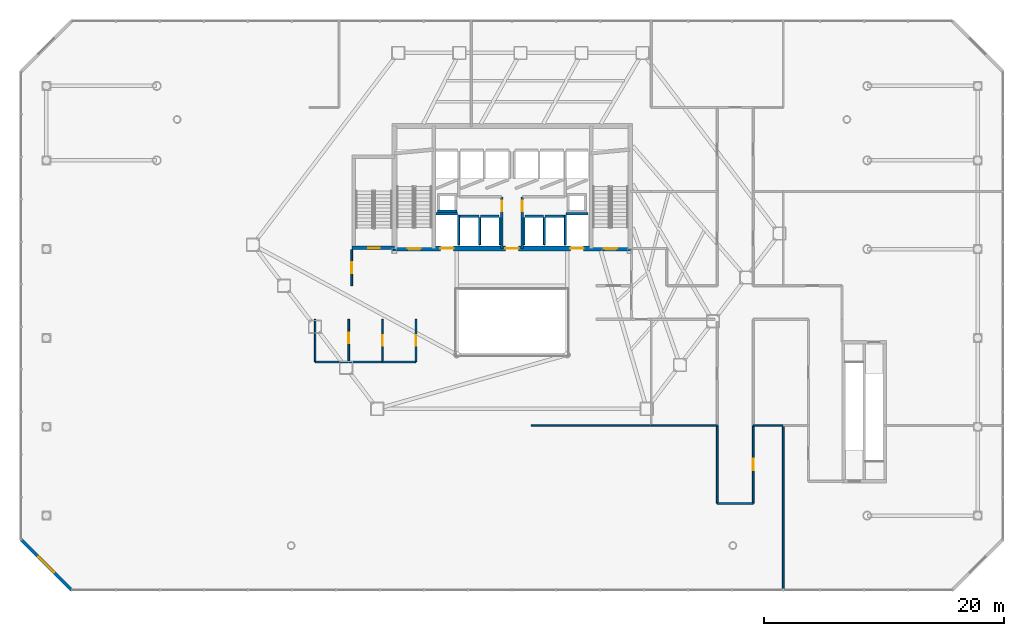
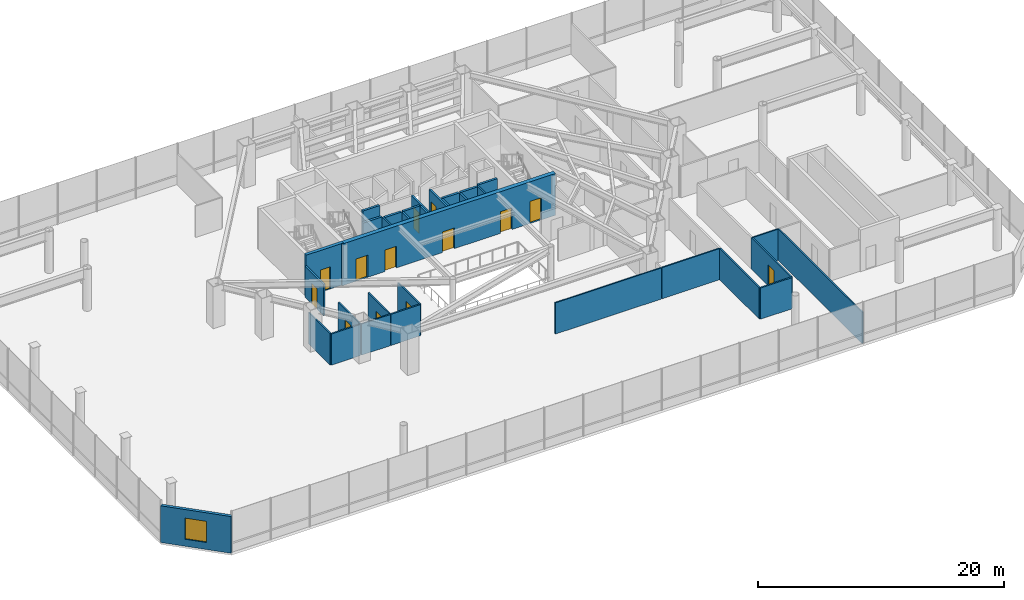
# One storey, part 38 of 43: 33 walls, 13 doors, 1 window, 14 openings.
"""IFC4 building model written with IfcOpenShell, lengths in metres."""

from ifc_helpers import new_model, si_unit, direction, frame, frame_2d, origin, place, context, subcontext, project, spatial, rectangle, extrude, material, layer, layer_set, type_object, element, fill, save


model = new_model("IFC4")

# Units and contexts
model_context = context("Model", 3, precision=1e-05, world=origin(), true_north=direction((0.0, 1.0)))
body_context = subcontext(model_context, "Body", "Model", "MODEL_VIEW")
ifc_project = project(units=[si_unit("LENGTHUNIT", "METRE"), si_unit("AREAUNIT", "SQUARE_METRE"), si_unit("VOLUMEUNIT", "CUBIC_METRE"), si_unit("PLANEANGLEUNIT", "RADIAN"), si_unit("MASSUNIT", "GRAM", prefix="KILO")], contexts=[model_context])

# Site, building, storey
site_placement = place(None, origin())
site = spatial("IfcSite", under=ifc_project, at=site_placement, CompositionType="ELEMENT")
building_placement = place(site_placement, origin())
building = spatial("IfcBuilding", under=site, at=building_placement, Name="Zarrinselat Tower", CompositionType="ELEMENT")
storey_placement = place(building_placement, frame((0.0, 0.0, 5.10009765625)))
storey = spatial("IfcBuildingStorey", under=building, at=storey_placement, Name="L01", CompositionType="ELEMENT", Elevation=5.10009765625)

# Wall, opening, window
ifc_material_1 = material(Name="Honed Cream Travertine Stone", Category="masonry")
ifc_layer_1 = layer(ifc_material_1, 0.260009765625)
ifc_layer_set_1 = layer_set([ifc_layer_1], Name="Honed Cream Travertine Stone")
wall_type_1 = type_object("IfcWallType", Name="WAL-EXT-STONE-260", PredefinedType="STANDARD", material=ifc_layer_set_1)
wall_1_placement = place(storey_placement, frame((-2.5, 9.0, 0.0), z_axis=(0.0, 0.0, 1.0), x_axis=(0.707106781187, -0.707106781187, 0.0)))
wall_1 = element("IfcWall", 1, at=wall_1_placement, inside=storey, type_object=wall_type_1, Name="L01 Chamfered Stone Corner Wall 7", PredefinedType="STANDARD", context=body_context, shape_type="SweptSolid", body=[
    extrude(rectangle(XDim=5.939697265625, YDim=0.260009765625, at=frame_2d((2.9697265625, 0.0))), origin(), (0.0, 0.0, 1.0), 3.64990234375),
])
opening_1_placement = place(wall_1_placement, frame((2.06982421875, 0.0, 0.699951171875)))
opening_1 = element("IfcOpeningElement", 2, at=opening_1_placement, cuts=wall_1, Name="Opening WN-2", PredefinedType="OPENING", context=body_context, shape_type="SweptSolid", body=[
    extrude(rectangle(XDim=1.800048828125, YDim=2.10009765625, at=frame_2d((0.89990234375, 1.050048828125))), frame((0.0, 0.139892578125, 0.0), z_axis=(0.0, -1.0, 0.0), x_axis=(1.0, 0.0, 0.0)), (0.0, 0.0, 1.0), 0.280029296875),
])
ifc_material_2 = material(Name="Double Low-E Laminated Solar Glass", Category="glass")
window_type = type_object("IfcWindowType", Name="WIN-GALLERY-1800", PartitioningType="SINGLE_PANEL", PredefinedType="WINDOW", material=ifc_material_2)
window_placement = place(opening_1_placement, origin())
window = element("IfcWindow", 3, at=window_placement, inside=storey, type_object=window_type, Name="L01 Corner Gallery Window 7", OverallHeight=2.10009765625, OverallWidth=1.800048828125, PartitioningType="SINGLE_PANEL", PredefinedType="WINDOW", context=body_context, shape_type="SweptSolid", body=[
    extrude(rectangle(XDim=1.800048828125, YDim=2.10009765625, at=frame_2d((0.89990234375, 1.050048828125))), frame((0.0, 0.030029296875, 0.0), z_axis=(0.0, -1.0, 0.0), x_axis=(1.0, 0.0, 0.0)), (0.0, 0.0, 1.0), 0.06005859375),
])
fill(opening_1, window)

# Wall, opening, door
ifc_material_3 = material(Name="Fire-Rated Gypsum Board Partition", Category="gypsum")
ifc_layer_2 = layer(ifc_material_3, 0.14990234375)
ifc_layer_set_2 = layer_set([ifc_layer_2], Name="Fire-Rated Gypsum Board Partition")
wall_type_2 = type_object("IfcWallType", Name="WAL-PART-EI60", PredefinedType="PARTITIONING", material=ifc_layer_set_2)
wall_2_placement = place(storey_placement, frame((25.050048828125, 30.14990234375, 0.0), z_axis=(0.0, 0.0, 1.0), x_axis=(0.0, 1.0, 0.0)))
wall_2 = element("IfcWall", 4, at=wall_2_placement, inside=storey, type_object=wall_type_2, Name="L01 Partition Wall 9", PredefinedType="PARTITIONING", context=body_context, shape_type="SweptSolid", body=[
    extrude(rectangle(XDim=3.0, YDim=0.14990234375, at=frame_2d((1.5, 0.0))), origin(), (0.0, 0.0, 1.0), 3.096923828125),
])
opening_2_placement = place(wall_2_placement, frame((1.030029296875, 0.0, 0.0)))
opening_2 = element("IfcOpeningElement", 5, at=opening_2_placement, cuts=wall_2, Name="Opening ID-04", PredefinedType="OPENING", context=body_context, shape_type="SweptSolid", body=[
    extrude(rectangle(XDim=0.93994140625, YDim=2.050048828125, at=frame_2d((0.469970703125, 1.02490234375))), frame((0.0, 0.0849609375, 0.0), z_axis=(0.0, -1.0, 0.0), x_axis=(1.0, 0.0, 0.0)), (0.0, 0.0, 1.0), 0.169921875),
])
ifc_material_4 = material(Name="Fire-Rated Gypsum Board Partition")
door_type_1 = type_object("IfcDoorType", Name="DR-INT-FD30-ENT", OperationType="NOTDEFINED", PredefinedType="DOOR", material=ifc_material_4)
door_1_placement = place(opening_2_placement, origin())
door_1 = element("IfcDoor", 6, at=door_1_placement, inside=storey, type_object=door_type_1, Name="L01 Interior Door P9", OperationType="SINGLE_SWING_RIGHT", OverallHeight=2.050048828125, OverallWidth=0.93994140625, PredefinedType="DOOR", context=body_context, shape_type="SweptSolid", body=[
    extrude(rectangle(XDim=0.93994140625, YDim=2.050048828125, at=frame_2d((0.469970703125, 1.02490234375))), frame((0.0, 0.02490234375, 0.0), z_axis=(0.0, -1.0, 0.0), x_axis=(1.0, 0.0, 0.0)), (0.0, 0.0, 1.0), 0.050048828125),
])
fill(opening_2, door_1)

wall_3_placement = place(storey_placement, frame((58.5, 12.02001953125, 0.0), z_axis=(0.0, 0.0, 1.0), x_axis=(0.0, 1.0, 0.0)))
wall_3 = element("IfcWall", 7, at=wall_3_placement, inside=storey, type_object=wall_type_2, Name="L01 Partition Wall 12", PredefinedType="PARTITIONING", context=body_context, shape_type="SweptSolid", body=[
    extrude(rectangle(XDim=6.47509765625, YDim=0.14990234375, at=frame_2d((3.237548828125, 0.0))), origin(), (0.0, 0.0, 1.0), 3.096923828125),
])
opening_3_placement = place(wall_3_placement, frame((2.767578125, 0.0, 0.0)))
opening_3 = element("IfcOpeningElement", 8, at=opening_3_placement, cuts=wall_3, Name="Opening ID-04", PredefinedType="OPENING", context=body_context, shape_type="SweptSolid", body=[
    extrude(rectangle(XDim=0.93994140625, YDim=2.050048828125, at=frame_2d((0.469970703125, 1.02490234375))), frame((0.0, 0.0849609375, 0.0), z_axis=(0.0, -1.0, 0.0), x_axis=(1.0, 0.0, 0.0)), (0.0, 0.0, 1.0), 0.169921875),
])
door_2_placement = place(opening_3_placement, origin())
door_2 = element("IfcDoor", 9, at=door_2_placement, inside=storey, type_object=door_type_1, Name="L01 Interior Door P12", OperationType="SINGLE_SWING_RIGHT", OverallHeight=2.050048828125, OverallWidth=0.93994140625, PredefinedType="DOOR", context=body_context, shape_type="SweptSolid", body=[
    extrude(rectangle(XDim=0.93994140625, YDim=2.050048828125, at=frame_2d((0.469970703125, 1.02490234375))), frame((0.0, 0.02490234375, 0.0), z_axis=(0.0, -1.0, 0.0), x_axis=(1.0, 0.0, 0.0)), (0.0, 0.0, 1.0), 0.050048828125),
])
fill(opening_3, door_2)

# Walls
wall_4_placement = place(storey_placement, frame((55.52001953125, 12.0, 0.0), z_axis=(0.0, 0.0, 1.0), x_axis=(1.0, 0.0, 0.0)))
element("IfcWall", 10, at=wall_4_placement, inside=storey, type_object=wall_type_2, Name="L01 Partition Wall 13", PredefinedType="PARTITIONING", context=body_context, shape_type="SweptSolid", body=[
    extrude(rectangle(XDim=2.9599609375, YDim=0.14990234375, at=frame_2d((1.47998046875, 0.0))), origin(), (0.0, 0.0, 1.0), 3.096923828125),
])
wall_5_placement = place(storey_placement, frame((55.5, 12.02001953125, 0.0), z_axis=(0.0, 0.0, 1.0), x_axis=(0.0, 1.0, 0.0)))
element("IfcWall", 11, at=wall_5_placement, inside=storey, type_object=wall_type_2, Name="L01 Partition Wall 14", PredefinedType="PARTITIONING", context=body_context, shape_type="SweptSolid", body=[
    extrude(rectangle(XDim=6.47509765625, YDim=0.14990234375, at=frame_2d((3.237548828125, 0.0))), origin(), (0.0, 0.0, 1.0), 3.096923828125),
])

# Wall, opening, door
ifc_material_5 = material(Name="Concrete C40/50", Category="concrete")
ifc_layer_3 = layer(ifc_material_5, 0.199951171875)
ifc_layer_set_3 = layer_set([ifc_layer_3], Name="Concrete C40/50")
wall_type_3 = type_object("IfcWallType", Name="WAL-PART-PLANT", PredefinedType="PARTITIONING", material=ifc_layer_set_3)
wall_6_placement = place(storey_placement, frame((37.550048828125, 33.264892578125, 0.0), z_axis=(0.0, 0.0, 1.0), x_axis=(0.0, 1.0, 0.0)))
wall_6 = element("IfcWall", 12, at=wall_6_placement, inside=storey, type_object=wall_type_3, Name="L01 Partition Wall 1", PredefinedType="PARTITIONING", context=body_context, shape_type="SweptSolid", body=[
    extrude(rectangle(XDim=4.26513671875, YDim=0.199951171875, at=frame_2d((2.132568359375, 0.0))), origin(), (0.0, 0.0, 1.0), 3.096923828125),
])
opening_4_placement = place(wall_6_placement, frame((3.092529296875, 0.0, 0.0)))
opening_4 = element("IfcOpeningElement", 13, at=opening_4_placement, cuts=wall_6, Name="Opening ID-03", PredefinedType="OPENING", context=body_context, shape_type="SweptSolid", body=[
    extrude(rectangle(XDim=0.8798828125, YDim=2.050048828125, at=frame_2d((0.43994140625, 1.02490234375))), frame((0.0, 0.10986328125, 0.0), z_axis=(0.0, -1.0, 0.0), x_axis=(1.0, 0.0, 0.0)), (0.0, 0.0, 1.0), 0.219970703125),
])
ifc_material_6 = material(Name="Steel S355J2", Category="steel")
door_type_2 = type_object("IfcDoorType", Name="DR-INT-FD60-S", OperationType="NOTDEFINED", PredefinedType="DOOR", material=ifc_material_6)
door_3_placement = place(opening_4_placement, origin())
door_3 = element("IfcDoor", 14, at=door_3_placement, inside=storey, type_object=door_type_2, Name="L01 Interior Door P1", OperationType="SINGLE_SWING_RIGHT", OverallHeight=2.050048828125, OverallWidth=0.8798828125, PredefinedType="DOOR", context=body_context, shape_type="SweptSolid", body=[
    extrude(rectangle(XDim=0.8798828125, YDim=2.050048828125, at=frame_2d((0.43994140625, 1.02490234375))), frame((0.0, 0.02490234375, 0.0), z_axis=(0.0, -1.0, 0.0), x_axis=(1.0, 0.0, 0.0)), (0.0, 0.0, 1.0), 0.050048828125),
])
fill(opening_4, door_3)

wall_7_placement = place(storey_placement, frame((39.25, 33.264892578125, 0.0), z_axis=(0.0, 0.0, 1.0), x_axis=(0.0, 1.0, 0.0)))
wall_7 = element("IfcWall", 15, at=wall_7_placement, inside=storey, type_object=wall_type_3, Name="L01 Partition Wall 6", PredefinedType="PARTITIONING", context=body_context, shape_type="SweptSolid", body=[
    extrude(rectangle(XDim=4.26513671875, YDim=0.199951171875, at=frame_2d((2.132568359375, 0.0))), origin(), (0.0, 0.0, 1.0), 3.096923828125),
])
opening_5_placement = place(wall_7_placement, frame((3.092529296875, 0.0, 0.0)))
opening_5 = element("IfcOpeningElement", 16, at=opening_5_placement, cuts=wall_7, Name="Opening ID-03", PredefinedType="OPENING", context=body_context, shape_type="SweptSolid", body=[
    extrude(rectangle(XDim=0.8798828125, YDim=2.050048828125, at=frame_2d((0.43994140625, 1.02490234375))), frame((0.0, 0.10986328125, 0.0), z_axis=(0.0, -1.0, 0.0), x_axis=(1.0, 0.0, 0.0)), (0.0, 0.0, 1.0), 0.219970703125),
])
door_4_placement = place(opening_5_placement, origin())
door_4 = element("IfcDoor", 17, at=door_4_placement, inside=storey, type_object=door_type_2, Name="L01 Interior Door P6", OperationType="SINGLE_SWING_LEFT", OverallHeight=2.050048828125, OverallWidth=0.8798828125, PredefinedType="DOOR", context=body_context, shape_type="SweptSolid", body=[
    extrude(rectangle(XDim=0.8798828125, YDim=2.050048828125, at=frame_2d((0.43994140625, 1.02490234375))), frame((0.0, 0.02490234375, 0.0), z_axis=(0.0, -1.0, 0.0), x_axis=(1.0, 0.0, 0.0)), (0.0, 0.0, 1.0), 0.050048828125),
])
fill(opening_5, door_4)

# Walls
ifc_material_7 = material(Name="Fire-Rated Gypsum Board Partition", Category="gypsum")
ifc_layer_4 = layer(ifc_material_7, 0.1201171875)
ifc_layer_set_4 = layer_set([ifc_layer_4], Name="Fire-Rated Gypsum Board Partition")
wall_type_4 = type_object("IfcWallType", Name="WAL-PART-STD", PredefinedType="PARTITIONING", material=ifc_layer_set_4)
wall_8_placement = place(storey_placement, frame((40.0, 18.5, 0.0), z_axis=(0.0, 0.0, 1.0), x_axis=(1.0, 0.0, 0.0)))
element("IfcWall", 18, at=wall_8_placement, inside=storey, type_object=wall_type_4, Name="L01 Partition Wall 43", PredefinedType="PARTITIONING", context=body_context, shape_type="SweptSolid", body=[
    extrude(rectangle(XDim=9.97998046875, YDim=0.1201171875, at=frame_2d((4.989990234375, 0.0))), origin(), (0.0, 0.0, 1.0), 3.096923828125),
])
wall_9_placement = place(storey_placement, frame((50.02001953125, 18.5, 0.0), z_axis=(0.0, 0.0, 1.0), x_axis=(1.0, 0.0, 0.0)))
element("IfcWall", 19, at=wall_9_placement, inside=storey, type_object=wall_type_4, Name="L01 Partition Wall 44", PredefinedType="PARTITIONING", context=body_context, shape_type="SweptSolid", body=[
    extrude(rectangle(XDim=5.4599609375, YDim=0.1201171875, at=frame_2d((2.72998046875, 0.0))), origin(), (0.0, 0.0, 1.0), 3.096923828125),
])
wall_10_placement = place(storey_placement, frame((58.52001953125, 18.5, 0.0), z_axis=(0.0, 0.0, 1.0), x_axis=(1.0, 0.0, 0.0)))
element("IfcWall", 20, at=wall_10_placement, inside=storey, type_object=wall_type_4, Name="L01 Partition Wall 45", PredefinedType="PARTITIONING", context=body_context, shape_type="SweptSolid", body=[
    extrude(rectangle(XDim=2.4599609375, YDim=0.1201171875, at=frame_2d((1.22998046875, 0.0))), origin(), (0.0, 0.0, 1.0), 3.096923828125),
])

# Wall, opening, door
ifc_material_8 = material(Name="Fire-Rated Gypsum Board Partition", Category="gypsum")
ifc_layer_5 = layer(ifc_material_8, 0.135009765625)
ifc_layer_set_5 = layer_set([ifc_layer_5], Name="Fire-Rated Gypsum Board Partition")
wall_type_5 = type_object("IfcWallType", Name="WAL-PART-WET", PredefinedType="PARTITIONING", material=ifc_layer_set_5)
wall_11_placement = place(storey_placement, frame((24.800048828125, 23.847900390625, 0.0), z_axis=(0.0, 0.0, 1.0), x_axis=(0.0, 1.0, 0.0)))
wall_11 = element("IfcWall", 21, at=wall_11_placement, inside=storey, type_object=wall_type_5, Name="L01 Partition Wall 35", PredefinedType="PARTITIONING", context=body_context, shape_type="SweptSolid", body=[
    extrude(rectangle(XDim=3.502197265625, YDim=0.135009765625, at=frame_2d((1.7509765625, 0.0))), origin(), (0.0, 0.0, 1.0), 3.096923828125),
])
opening_6_placement = place(wall_11_placement, frame((1.52099609375, 0.0, 0.0)))
opening_6 = element("IfcOpeningElement", 22, at=opening_6_placement, cuts=wall_11, Name="Opening ID-06", PredefinedType="OPENING", context=body_context, shape_type="SweptSolid", body=[
    extrude(rectangle(XDim=0.860107421875, YDim=2.050048828125, at=frame_2d((0.43017578125, 1.02490234375))), frame((0.0, 0.077392578125, 0.0), z_axis=(0.0, -1.0, 0.0), x_axis=(1.0, 0.0, 0.0)), (0.0, 0.0, 1.0), 0.155029296875),
])
ifc_material_9 = material(Name="Extruded Aluminium Alloy EN AW-6063 T6", Category="aluminium")
door_type_3 = type_object("IfcDoorType", Name="DR-INT-WET-900", OperationType="NOTDEFINED", PredefinedType="DOOR", material=ifc_material_9)
door_5_placement = place(opening_6_placement, origin())
door_5 = element("IfcDoor", 23, at=door_5_placement, inside=storey, type_object=door_type_3, Name="L01 Interior Door P35", OperationType="SINGLE_SWING_LEFT", OverallHeight=2.050048828125, OverallWidth=0.860107421875, PredefinedType="DOOR", context=body_context, shape_type="SweptSolid", body=[
    extrude(rectangle(XDim=0.860107421875, YDim=2.050048828125, at=frame_2d((0.43017578125, 1.02490234375))), frame((0.0, 0.02490234375, 0.0), z_axis=(0.0, -1.0, 0.0), x_axis=(1.0, 0.0, 0.0)), (0.0, 0.0, 1.0), 0.050048828125),
])
fill(opening_6, door_5)

# Walls
wall_12_placement = place(storey_placement, frame((22.02001953125, 23.800048828125, 0.0), z_axis=(0.0, 0.0, 1.0), x_axis=(1.0, 0.0, 0.0)))
element("IfcWall", 24, at=wall_12_placement, inside=storey, type_object=wall_type_5, Name="L01 Partition Wall 36", PredefinedType="PARTITIONING", context=body_context, shape_type="SweptSolid", body=[
    extrude(rectangle(XDim=2.73193359375, YDim=0.135009765625, at=frame_2d((1.365966796875, 0.0))), origin(), (0.0, 0.0, 1.0), 3.096923828125),
])
wall_13_placement = place(storey_placement, frame((22.0, 23.820068359375, 0.0), z_axis=(0.0, 0.0, 1.0), x_axis=(0.0, 1.0, 0.0)))
element("IfcWall", 25, at=wall_13_placement, inside=storey, type_object=wall_type_5, Name="L01 Partition Wall 37", PredefinedType="PARTITIONING", context=body_context, shape_type="SweptSolid", body=[
    extrude(rectangle(XDim=3.530029296875, YDim=0.135009765625, at=frame_2d((1.76513671875, 0.0))), origin(), (0.0, 0.0, 1.0), 3.096923828125),
])

# Wall, opening, door
wall_14_placement = place(storey_placement, frame((27.60009765625, 23.820068359375, 0.0), z_axis=(0.0, 0.0, 1.0), x_axis=(0.0, 1.0, 0.0)))
wall_14 = element("IfcWall", 26, at=wall_14_placement, inside=storey, type_object=wall_type_5, Name="L01 Partition Wall 38", PredefinedType="PARTITIONING", context=body_context, shape_type="SweptSolid", body=[
    extrude(rectangle(XDim=3.530029296875, YDim=0.135009765625, at=frame_2d((1.76513671875, 0.0))), origin(), (0.0, 0.0, 1.0), 3.096923828125),
])
opening_7_placement = place(wall_14_placement, frame((1.3349609375, 0.0, 0.0)))
opening_7 = element("IfcOpeningElement", 27, at=opening_7_placement, cuts=wall_14, Name="Opening ID-06", PredefinedType="OPENING", context=body_context, shape_type="SweptSolid", body=[
    extrude(rectangle(XDim=0.860107421875, YDim=2.050048828125, at=frame_2d((0.43017578125, 1.02490234375))), frame((0.0, 0.077392578125, 0.0), z_axis=(0.0, -1.0, 0.0), x_axis=(1.0, 0.0, 0.0)), (0.0, 0.0, 1.0), 0.155029296875),
])
door_6_placement = place(opening_7_placement, origin())
door_6 = element("IfcDoor", 28, at=door_6_placement, inside=storey, type_object=door_type_3, Name="L01 Interior Door P38", OperationType="SINGLE_SWING_RIGHT", OverallHeight=2.050048828125, OverallWidth=0.860107421875, PredefinedType="DOOR", context=body_context, shape_type="SweptSolid", body=[
    extrude(rectangle(XDim=0.860107421875, YDim=2.050048828125, at=frame_2d((0.43017578125, 1.02490234375))), frame((0.0, 0.02490234375, 0.0), z_axis=(0.0, -1.0, 0.0), x_axis=(1.0, 0.0, 0.0)), (0.0, 0.0, 1.0), 0.050048828125),
])
fill(opening_7, door_6)

# Wall
wall_15_placement = place(storey_placement, frame((24.847900390625, 23.800048828125, 0.0), z_axis=(0.0, 0.0, 1.0), x_axis=(1.0, 0.0, 0.0)))
element("IfcWall", 29, at=wall_15_placement, inside=storey, type_object=wall_type_5, Name="L01 Partition Wall 39", PredefinedType="PARTITIONING", context=body_context, shape_type="SweptSolid", body=[
    extrude(rectangle(XDim=2.732177734375, YDim=0.135009765625, at=frame_2d((1.3662109375, 0.0))), origin(), (0.0, 0.0, 1.0), 3.096923828125),
])

# Wall, opening, door
wall_16_placement = place(storey_placement, frame((30.39990234375, 23.820068359375, 0.0), z_axis=(0.0, 0.0, 1.0), x_axis=(0.0, 1.0, 0.0)))
wall_16 = element("IfcWall", 30, at=wall_16_placement, inside=storey, type_object=wall_type_5, Name="L01 Partition Wall 40", PredefinedType="PARTITIONING", context=body_context, shape_type="SweptSolid", body=[
    extrude(rectangle(XDim=3.530029296875, YDim=0.135009765625, at=frame_2d((1.76513671875, 0.0))), origin(), (0.0, 0.0, 1.0), 3.096923828125),
])
opening_8_placement = place(wall_16_placement, frame((1.3349609375, 0.0, 0.0)))
opening_8 = element("IfcOpeningElement", 31, at=opening_8_placement, cuts=wall_16, Name="Opening ID-06", PredefinedType="OPENING", context=body_context, shape_type="SweptSolid", body=[
    extrude(rectangle(XDim=0.860107421875, YDim=2.050048828125, at=frame_2d((0.43017578125, 1.02490234375))), frame((0.0, 0.077392578125, 0.0), z_axis=(0.0, -1.0, 0.0), x_axis=(1.0, 0.0, 0.0)), (0.0, 0.0, 1.0), 0.155029296875),
])
door_7_placement = place(opening_8_placement, origin())
door_7 = element("IfcDoor", 32, at=door_7_placement, inside=storey, type_object=door_type_3, Name="L01 Interior Door P40", OperationType="SINGLE_SWING_LEFT", OverallHeight=2.050048828125, OverallWidth=0.860107421875, PredefinedType="DOOR", context=body_context, shape_type="SweptSolid", body=[
    extrude(rectangle(XDim=0.860107421875, YDim=2.050048828125, at=frame_2d((0.43017578125, 1.02490234375))), frame((0.0, 0.02490234375, 0.0), z_axis=(0.0, -1.0, 0.0), x_axis=(1.0, 0.0, 0.0)), (0.0, 0.0, 1.0), 0.050048828125),
])
fill(opening_8, door_7)

# Walls
wall_17_placement = place(storey_placement, frame((27.6201171875, 23.800048828125, 0.0), z_axis=(0.0, 0.0, 1.0), x_axis=(1.0, 0.0, 0.0)))
element("IfcWall", 33, at=wall_17_placement, inside=storey, type_object=wall_type_5, Name="L01 Partition Wall 41", PredefinedType="PARTITIONING", context=body_context, shape_type="SweptSolid", body=[
    extrude(rectangle(XDim=2.759765625, YDim=0.135009765625, at=frame_2d((1.3798828125, 0.0))), origin(), (0.0, 0.0, 1.0), 3.096923828125),
])
wall_18_placement = place(storey_placement, frame((61.0, 4.81494140625, 0.0), z_axis=(0.0, 0.0, 1.0), x_axis=(0.0, 1.0, 0.0)))
element("IfcWall", 34, at=wall_18_placement, inside=storey, type_object=wall_type_5, Name="L01 Partition Wall 42", PredefinedType="PARTITIONING", context=body_context, shape_type="SweptSolid", body=[
    extrude(rectangle(XDim=13.6650390625, YDim=0.135009765625, at=frame_2d((6.83251953125, 0.0))), origin(), (0.0, 0.0, 1.0), 3.096923828125),
])
ifc_material_10 = material(Name="Concrete C40/50", Category="concrete")
ifc_layer_6 = layer(ifc_material_10, 0.2099609375)
ifc_layer_set_6 = layer_set([ifc_layer_6], Name="Concrete C40/50")
wall_type_6 = type_object("IfcWallType", Name="WAL-SHAFT-210", PredefinedType="SOLIDWALL", material=ifc_layer_set_6)
wall_19_placement = place(storey_placement, frame((32.080078125, 36.155029296875, 0.0), z_axis=(0.0, 0.0, 1.0), x_axis=(1.0, 0.0, 0.0)))
element("IfcWall", 35, at=wall_19_placement, inside=storey, type_object=wall_type_6, Name="L01 Lift FFL1 North Shaft Wall", PredefinedType="SOLIDWALL", context=body_context, shape_type="SweptSolid", body=[
    extrude(rectangle(XDim=1.7998046875, YDim=0.2099609375, at=frame_2d((0.89990234375, 0.0))), origin(), (0.0, 0.0, 1.0), 3.11181640625),
])
wall_20_placement = place(storey_placement, frame((33.949951171875, 33.580078125, 0.0), z_axis=(0.0, 0.0, 1.0), x_axis=(0.0, 1.0, 0.0)))
element("IfcWall", 36, at=wall_20_placement, inside=storey, type_object=wall_type_6, Name="L01 Lift FFL1 E Shaft Wall", PredefinedType="SOLIDWALL", context=body_context, shape_type="SweptSolid", body=[
    extrude(rectangle(XDim=2.449951171875, YDim=0.159912109375, at=frame_2d((1.22509765625, 0.0))), origin(), (0.0, 0.0, 1.0), 3.11181640625),
])
wall_21_placement = place(storey_placement, frame((42.919921875, 36.155029296875, 0.0), z_axis=(0.0, 0.0, 1.0), x_axis=(1.0, 0.0, 0.0)))
element("IfcWall", 37, at=wall_21_placement, inside=storey, type_object=wall_type_6, Name="L01 Lift FFL2 North Shaft Wall", PredefinedType="SOLIDWALL", context=body_context, shape_type="SweptSolid", body=[
    extrude(rectangle(XDim=1.800048828125, YDim=0.2099609375, at=frame_2d((0.89990234375, 0.0))), origin(), (0.0, 0.0, 1.0), 3.11181640625),
])
wall_22_placement = place(storey_placement, frame((42.85009765625, 33.580078125, 0.0), z_axis=(0.0, 0.0, 1.0), x_axis=(0.0, 1.0, 0.0)))
element("IfcWall", 38, at=wall_22_placement, inside=storey, type_object=wall_type_6, Name="L01 Lift FFL2 W Shaft Wall", PredefinedType="SOLIDWALL", context=body_context, shape_type="SweptSolid", body=[
    extrude(rectangle(XDim=2.449951171875, YDim=0.159912109375, at=frame_2d((1.22509765625, 0.0))), origin(), (0.0, 0.0, 1.0), 3.11181640625),
])
wall_23_placement = place(storey_placement, frame((34.070068359375, 35.955078125, 0.0), z_axis=(0.0, 0.0, 1.0), x_axis=(1.0, 0.0, 0.0)))
element("IfcWall", 39, at=wall_23_placement, inside=storey, type_object=wall_type_6, Name="L01 Lift PL5 North Shaft Wall", PredefinedType="SOLIDWALL", context=body_context, shape_type="SweptSolid", body=[
    extrude(rectangle(XDim=1.559814453125, YDim=0.2099609375, at=frame_2d((0.77978515625, 0.0))), origin(), (0.0, 0.0, 1.0), 3.11181640625),
])
wall_24_placement = place(storey_placement, frame((35.699951171875, 33.580078125, 0.0), z_axis=(0.0, 0.0, 1.0), x_axis=(0.0, 1.0, 0.0)))
element("IfcWall", 40, at=wall_24_placement, inside=storey, type_object=wall_type_6, Name="L01 Lift PL5 E Shaft Wall", PredefinedType="SOLIDWALL", context=body_context, shape_type="SweptSolid", body=[
    extrude(rectangle(XDim=2.25, YDim=0.159912109375, at=frame_2d((1.125, 0.0))), origin(), (0.0, 0.0, 1.0), 3.11181640625),
])
wall_25_placement = place(storey_placement, frame((35.77001953125, 35.955078125, 0.0), z_axis=(0.0, 0.0, 1.0), x_axis=(1.0, 0.0, 0.0)))
element("IfcWall", 41, at=wall_25_placement, inside=storey, type_object=wall_type_6, Name="L01 Lift PL6 North Shaft Wall", PredefinedType="SOLIDWALL", context=body_context, shape_type="SweptSolid", body=[
    extrude(rectangle(XDim=1.56005859375, YDim=0.2099609375, at=frame_2d((0.780029296875, 0.0))), origin(), (0.0, 0.0, 1.0), 3.11181640625),
])
wall_26_placement = place(storey_placement, frame((37.39990234375, 33.580078125, 0.0), z_axis=(0.0, 0.0, 1.0), x_axis=(0.0, 1.0, 0.0)))
element("IfcWall", 42, at=wall_26_placement, inside=storey, type_object=wall_type_6, Name="L01 Lift PL6 E Shaft Wall", PredefinedType="SOLIDWALL", context=body_context, shape_type="SweptSolid", body=[
    extrude(rectangle(XDim=2.25, YDim=0.159912109375, at=frame_2d((1.125, 0.0))), origin(), (0.0, 0.0, 1.0), 3.11181640625),
])
wall_27_placement = place(storey_placement, frame((39.469970703125, 35.955078125, 0.0), z_axis=(0.0, 0.0, 1.0), x_axis=(1.0, 0.0, 0.0)))
element("IfcWall", 43, at=wall_27_placement, inside=storey, type_object=wall_type_6, Name="L01 Lift PL8 North Shaft Wall", PredefinedType="SOLIDWALL", context=body_context, shape_type="SweptSolid", body=[
    extrude(rectangle(XDim=1.56005859375, YDim=0.2099609375, at=frame_2d((0.780029296875, 0.0))), origin(), (0.0, 0.0, 1.0), 3.11181640625),
])
for number, where, z_axis, x_axis, name in (
    (44, (39.39990234375, 33.580078125, 0.0), (0.0, 0.0, 1.0), (0.0, 1.0, 0.0), "L01 Lift PL8 W Shaft Wall"),
    (45, (41.10009765625, 33.580078125, 0.0), (0.0, 0.0, 1.0), (0.0, 1.0, 0.0), "L01 Lift PL8 E Shaft Wall"),
):
    element("IfcWall", number, at=place(storey_placement, frame(where, z_axis=z_axis, x_axis=x_axis)), inside=storey, type_object=wall_type_6, Name=name, PredefinedType="SOLIDWALL", context=body_context, shape_type="SweptSolid", body=[
        extrude(rectangle(XDim=2.25, YDim=0.159912109375, at=frame_2d((1.125, 0.0))), origin(), (0.0, 0.0, 1.0), 3.11181640625),
    ])
wall_28_placement = place(storey_placement, frame((41.169921875, 35.955078125, 0.0), z_axis=(0.0, 0.0, 1.0), x_axis=(1.0, 0.0, 0.0)))
element("IfcWall", 46, at=wall_28_placement, inside=storey, type_object=wall_type_6, Name="L01 Lift PL9 North Shaft Wall", PredefinedType="SOLIDWALL", context=body_context, shape_type="SweptSolid", body=[
    extrude(rectangle(XDim=1.56005859375, YDim=0.2099609375, at=frame_2d((0.780029296875, 0.0))), origin(), (0.0, 0.0, 1.0), 3.11181640625),
])
wall_29_placement = place(storey_placement, frame((32.2099609375, 36.375, 0.0), z_axis=(0.0, 0.0, 1.0), x_axis=(1.0, 0.0, 0.0)))
element("IfcWall", 47, at=wall_29_placement, inside=storey, type_object=wall_type_6, Name="L01 Core Riser RSR-W S Shaft Wall", PredefinedType="SOLIDWALL", context=body_context, shape_type="SweptSolid", body=[
    extrude(rectangle(XDim=1.60009765625, YDim=0.2099609375, at=frame_2d((0.800048828125, 0.0))), origin(), (0.0, 0.0, 1.0), 4.139892578125),
])

# Wall, opening, door
ifc_material_11 = material(Name="Concrete C40/50", Category="concrete")
ifc_layer_7 = layer(ifc_material_11, 0.300048828125)
ifc_layer_set_7 = layer_set([ifc_layer_7], Name="Concrete C40/50")
wall_type_7 = type_object("IfcWallType", Name="WAL-SHEAR-300", PredefinedType="SHEAR", material=ifc_layer_set_7)
wall_30_placement = place(storey_placement, frame((25.080078125, 33.300048828125, 0.0), z_axis=(0.0, 0.0, 1.0), x_axis=(1.0, 0.0, 0.0)))
wall_30 = element("IfcWall", 48, at=wall_30_placement, inside=storey, type_object=wall_type_7, Name="L01 Stair 3 South Shear Wall", PredefinedType="SHEAR", context=body_context, shape_type="SweptSolid", body=[
    extrude(rectangle(XDim=3.52001953125, YDim=0.300048828125, at=frame_2d((1.760009765625, 0.0))), origin(), (0.0, 0.0, 1.0), 4.139892578125),
])
opening_9_placement = place(wall_30_placement, frame((1.3349609375, 0.0, 0.0)))
opening_9 = element("IfcOpeningElement", 49, at=opening_9_placement, cuts=wall_30, Name="Opening SD-02", PredefinedType="OPENING", context=body_context, shape_type="SweptSolid", body=[
    extrude(rectangle(XDim=0.949951171875, YDim=2.199951171875, at=frame_2d((0.47509765625, 1.10009765625))), frame((0.0, 0.159912109375, 0.0), z_axis=(0.0, -1.0, 0.0), x_axis=(1.0, 0.0, 0.0)), (0.0, 0.0, 1.0), 0.320068359375),
])
ifc_material_12 = material(Name="Steel S355J2", Category="steel")
door_type_4 = type_object("IfcDoorType", Name="DR-STAIR-1050", OperationType="NOTDEFINED", PredefinedType="DOOR", material=ifc_material_12)
door_8_placement = place(opening_9_placement, origin())
door_8 = element("IfcDoor", 50, at=door_8_placement, inside=storey, type_object=door_type_4, Name="L01 Exit Stair 3 Fire Door", OperationType="SINGLE_SWING_LEFT", OverallHeight=2.199951171875, OverallWidth=0.949951171875, PredefinedType="DOOR", context=body_context, shape_type="SweptSolid", body=[
    extrude(rectangle(XDim=0.949951171875, YDim=2.199951171875, at=frame_2d((0.47509765625, 1.10009765625))), frame((0.0, 0.02490234375, 0.0), z_axis=(0.0, -1.0, 0.0), x_axis=(1.0, 0.0, 0.0)), (0.0, 0.0, 1.0), 0.050048828125),
])
fill(opening_9, door_8)

# Wall, openings, doors
ifc_material_13 = material(Name="Concrete C60/75", Category="concrete")
ifc_layer_8 = layer(ifc_material_13, 0.39990234375)
ifc_layer_set_8 = layer_set([ifc_layer_8], Name="Concrete C60/75")
wall_type_8 = type_object("IfcWallType", Name="WAL-SHEAR-400", PredefinedType="SHEAR", material=ifc_layer_set_8)
wall_31_placement = place(storey_placement, frame((28.39990234375, 33.25, 0.0), z_axis=(0.0, 0.0, 1.0), x_axis=(1.0, 0.0, 0.0)))
wall_31 = element("IfcWall", 51, at=wall_31_placement, inside=storey, type_object=wall_type_8, Name="L01 South Core Shear Wall", PredefinedType="SHEAR", context=body_context, shape_type="SweptSolid", body=[
    extrude(rectangle(XDim=20.06005859375, YDim=0.39990234375, at=frame_2d((10.030029296875, 0.0))), origin(), (0.0, 0.0, 1.0), 4.139892578125),
])
opening_10_placement = place(wall_31_placement, frame((4.030029296875, 0.0, 0.0)))
opening_10 = element("IfcOpeningElement", 52, at=opening_10_placement, cuts=wall_31, Name="Opening LD-FFL1", PredefinedType="OPENING", context=body_context, shape_type="SweptSolid", body=[
    extrude(rectangle(XDim=1.10009765625, YDim=2.14990234375, at=frame_2d((0.550048828125, 1.074951171875))), frame((0.0, 0.2099609375, 0.0), z_axis=(0.0, -1.0, 0.0), x_axis=(1.0, 0.0, 0.0)), (0.0, 0.0, 1.0), 0.419921875),
])
opening_11_placement = place(wall_31_placement, frame((14.8701171875, 0.0, 0.0)))
opening_11 = element("IfcOpeningElement", 53, at=opening_11_placement, cuts=wall_31, Name="Opening LD-FFL2", PredefinedType="OPENING", context=body_context, shape_type="SweptSolid", body=[
    extrude(rectangle(XDim=1.10009765625, YDim=2.14990234375, at=frame_2d((0.550048828125, 1.074951171875))), frame((0.0, 0.2099609375, 0.0), z_axis=(0.0, -1.0, 0.0), x_axis=(1.0, 0.0, 0.0)), (0.0, 0.0, 1.0), 0.419921875),
])
opening_12_placement = place(wall_31_placement, frame((1.31005859375, 0.0, 0.0)))
opening_12 = element("IfcOpeningElement", 54, at=opening_12_placement, cuts=wall_31, Name="Opening SD-01", PredefinedType="OPENING", context=body_context, shape_type="SweptSolid", body=[
    extrude(rectangle(XDim=1.10009765625, YDim=2.199951171875, at=frame_2d((0.550048828125, 1.10009765625))), frame((0.0, 0.2099609375, 0.0), z_axis=(0.0, -1.0, 0.0), x_axis=(1.0, 0.0, 0.0)), (0.0, 0.0, 1.0), 0.419921875),
])
opening_13_placement = place(wall_31_placement, frame((9.43994140625, 0.0, 0.0)))
opening_13 = element("IfcOpeningElement", 55, at=opening_13_placement, cuts=wall_31, Name="Opening ID-02", PredefinedType="OPENING", context=body_context, shape_type="SweptSolid", body=[
    extrude(rectangle(XDim=1.1201171875, YDim=2.050048828125, at=frame_2d((0.56005859375, 1.02490234375))), frame((0.0, 0.2099609375, 0.0), z_axis=(0.0, -1.0, 0.0), x_axis=(1.0, 0.0, 0.0)), (0.0, 0.0, 1.0), 0.419921875),
])
opening_14_placement = place(wall_31_placement, frame((17.64990234375, 0.0, 0.0)))
opening_14 = element("IfcOpeningElement", 56, at=opening_14_placement, cuts=wall_31, Name="Opening SD-01", PredefinedType="OPENING", context=body_context, shape_type="SweptSolid", body=[
    extrude(rectangle(XDim=1.10009765625, YDim=2.199951171875, at=frame_2d((0.550048828125, 1.10009765625))), frame((0.0, 0.2099609375, 0.0), z_axis=(0.0, -1.0, 0.0), x_axis=(1.0, 0.0, 0.0)), (0.0, 0.0, 1.0), 0.419921875),
])
ifc_material_14 = material(Name="Steel S355J2", Category="steel")
door_type_5 = type_object("IfcDoorType", Name="DR-INT-FD60-W", OperationType="NOTDEFINED", PredefinedType="DOOR", material=ifc_material_14)
door_9_placement = place(opening_13_placement, origin())
door_9 = element("IfcDoor", 57, at=door_9_placement, inside=storey, type_object=door_type_5, Name="L01 Core Service Vestibule Fire Door", OperationType="SINGLE_SWING_LEFT", OverallHeight=2.050048828125, OverallWidth=1.1201171875, PredefinedType="DOOR", context=body_context, shape_type="SweptSolid", body=[
    extrude(rectangle(XDim=1.1201171875, YDim=2.050048828125, at=frame_2d((0.56005859375, 1.02490234375))), frame((0.0, 0.02490234375, 0.0), z_axis=(0.0, -1.0, 0.0), x_axis=(1.0, 0.0, 0.0)), (0.0, 0.0, 1.0), 0.050048828125),
])
fill(opening_13, door_9)
ifc_material_15 = material(Name="Steel S355J2", Category="steel")
door_type_6 = type_object("IfcDoorType", Name="DR-LIFT-FF-1100", OperationType="NOTDEFINED", PredefinedType="DOOR", material=ifc_material_15)
door_10_placement = place(opening_10_placement, origin())
door_10 = element("IfcDoor", 58, at=door_10_placement, inside=storey, type_object=door_type_6, Name="L01 Lift FFL1 Sliding Landing Door", OperationType="SLIDING_TO_LEFT", OverallHeight=2.14990234375, OverallWidth=1.10009765625, PredefinedType="DOOR", context=body_context, shape_type="SweptSolid", body=[
    extrude(rectangle(XDim=1.10009765625, YDim=2.14990234375, at=frame_2d((0.550048828125, 1.074951171875))), frame((0.0, 0.02490234375, 0.0), z_axis=(0.0, -1.0, 0.0), x_axis=(1.0, 0.0, 0.0)), (0.0, 0.0, 1.0), 0.050048828125),
])
fill(opening_10, door_10)
door_11_placement = place(opening_11_placement, origin())
door_11 = element("IfcDoor", 59, at=door_11_placement, inside=storey, type_object=door_type_6, Name="L01 Lift FFL2 Sliding Landing Door", OperationType="SLIDING_TO_RIGHT", OverallHeight=2.14990234375, OverallWidth=1.10009765625, PredefinedType="DOOR", context=body_context, shape_type="SweptSolid", body=[
    extrude(rectangle(XDim=1.10009765625, YDim=2.14990234375, at=frame_2d((0.550048828125, 1.074951171875))), frame((0.0, 0.02490234375, 0.0), z_axis=(0.0, -1.0, 0.0), x_axis=(1.0, 0.0, 0.0)), (0.0, 0.0, 1.0), 0.050048828125),
])
fill(opening_11, door_11)
ifc_material_16 = material(Name="Steel S355J2", Category="steel")
door_type_7 = type_object("IfcDoorType", Name="DR-STAIR-1100", OperationType="NOTDEFINED", PredefinedType="DOOR", material=ifc_material_16)
door_12_placement = place(opening_12_placement, origin())
door_12 = element("IfcDoor", 60, at=door_12_placement, inside=storey, type_object=door_type_7, Name="L01 Exit Stair 1 Fire Door", OperationType="SINGLE_SWING_LEFT", OverallHeight=2.199951171875, OverallWidth=1.10009765625, PredefinedType="DOOR", context=body_context, shape_type="SweptSolid", body=[
    extrude(rectangle(XDim=1.10009765625, YDim=2.199951171875, at=frame_2d((0.550048828125, 1.10009765625))), frame((0.0, 0.02490234375, 0.0), z_axis=(0.0, -1.0, 0.0), x_axis=(1.0, 0.0, 0.0)), (0.0, 0.0, 1.0), 0.050048828125),
])
fill(opening_12, door_12)
door_13_placement = place(opening_14_placement, origin())
door_13 = element("IfcDoor", 61, at=door_13_placement, inside=storey, type_object=door_type_7, Name="L01 Exit Stair 2 Fire Door", OperationType="SINGLE_SWING_RIGHT", OverallHeight=2.199951171875, OverallWidth=1.10009765625, PredefinedType="DOOR", context=body_context, shape_type="SweptSolid", body=[
    extrude(rectangle(XDim=1.10009765625, YDim=2.199951171875, at=frame_2d((0.550048828125, 1.10009765625))), frame((0.0, 0.02490234375, 0.0), z_axis=(0.0, -1.0, 0.0), x_axis=(1.0, 0.0, 0.0)), (0.0, 0.0, 1.0), 0.050048828125),
])
fill(opening_14, door_13)

save(model, "model.ifc")
